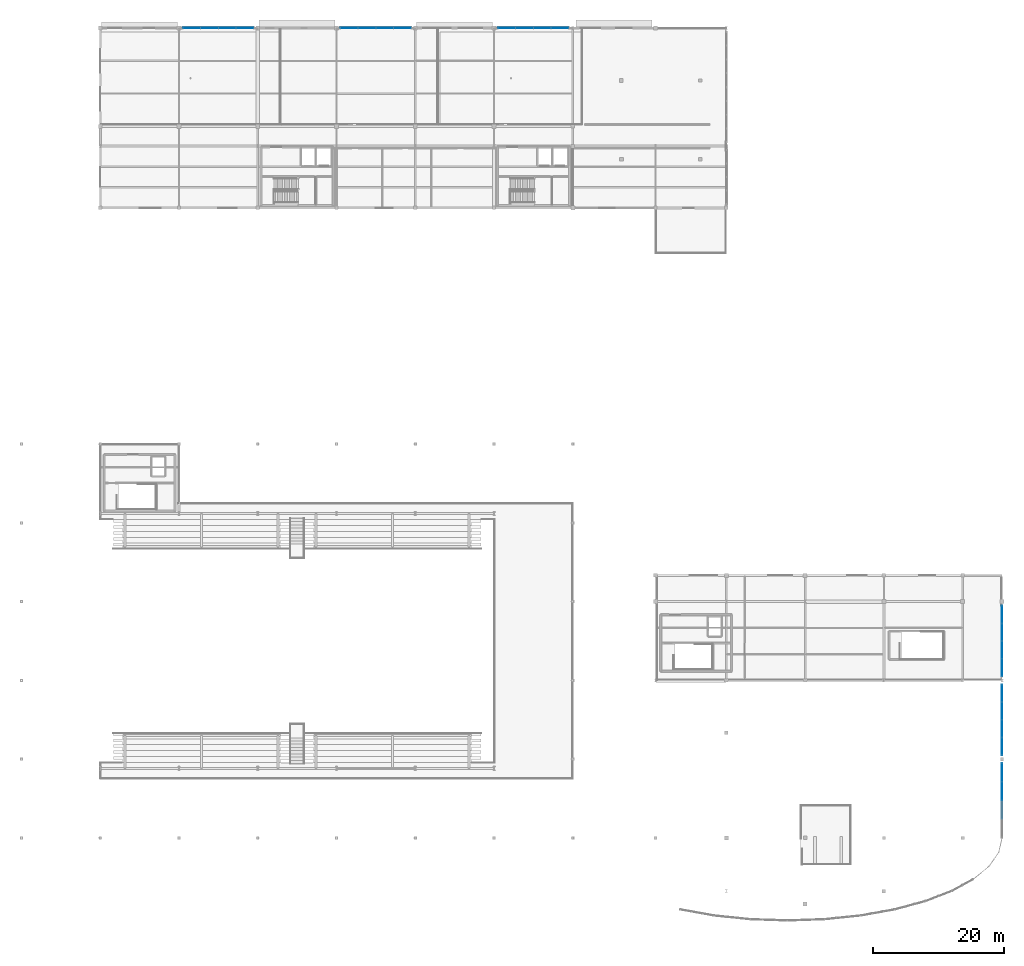
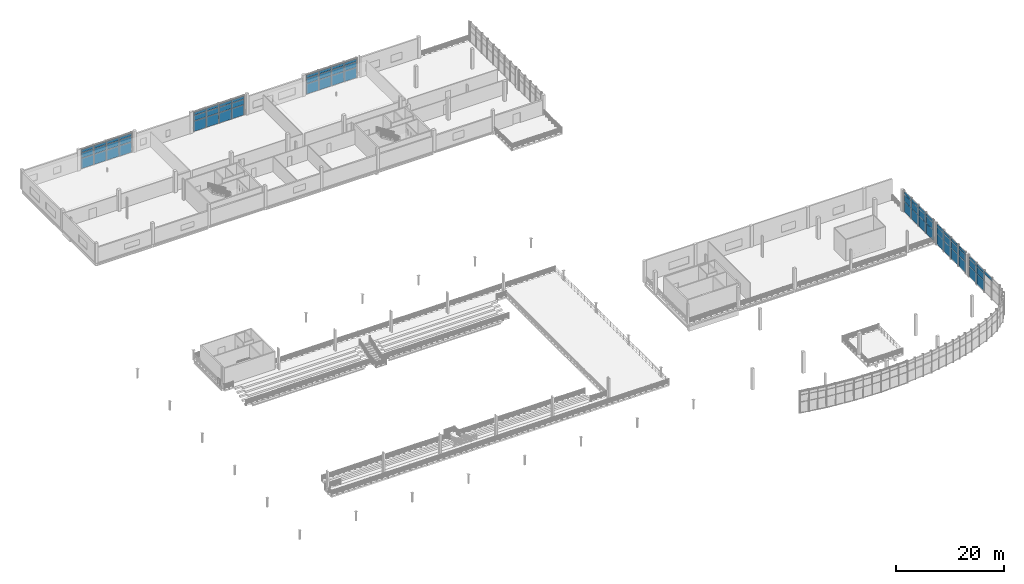
# One storey, part 33 of 52: 67 plates, 6 elements without a shape of their own.
"""IFC4 building model written with IfcOpenShell, lengths in metres."""

from ifc_helpers import new_model, si_unit, direction, frame, origin, origin_2d, place, context, subcontext, project, spatial, rectangle, extrude, material, layer, layer_set, type_object, element, aggregate, save


model = new_model("IFC4")

# Units and contexts
model_context = context("Model", 3, precision=1e-05, world=origin(), true_north=direction((0.0, 1.0)))
body_context = subcontext(model_context, "Body", "Model", "MODEL_VIEW")
ifc_project = project(units=[si_unit("LENGTHUNIT", "METRE"), si_unit("AREAUNIT", "SQUARE_METRE"), si_unit("VOLUMEUNIT", "CUBIC_METRE"), si_unit("PLANEANGLEUNIT", "RADIAN"), si_unit("MASSUNIT", "GRAM", prefix="KILO"), si_unit("THERMODYNAMICTEMPERATUREUNIT", "KELVIN"), si_unit("POWERUNIT", "WATT")], contexts=[model_context])

# Site, building, storey
site_placement = place(None, origin())
site = spatial("IfcSite", under=ifc_project, at=site_placement, CompositionType="ELEMENT")
building_placement = place(site_placement, origin())
building = spatial("IfcBuilding", under=site, at=building_placement, Name="Solmara Park Aquatics Centre", CompositionType="ELEMENT")
storey_placement = place(building_placement, frame((0.0, 0.0, 9.60009765625)))
storey = spatial("IfcBuildingStorey", under=building, at=storey_placement, Name="L02", CompositionType="ELEMENT", Elevation=9.60009765625)

# Curtain wall, plates
ifc_material_1 = material(Name="Anodised Aluminium Curtain Wall Framing", Category="aluminium")
curtain_wall_type_1 = type_object("IfcCurtainWallType", Name="ARC-CW-SYS04", PredefinedType="USERDEFINED", material=ifc_material_1)
curtain_wall_1_placement = place(storey_placement, origin())
curtain_wall_1 = element("IfcCurtainWall", 1, at=curtain_wall_1_placement, inside=storey, type_object=curtain_wall_type_1, Name="Curtain Wall CW-124", ObjectType="CURTAIN WALL", PredefinedType="USERDEFINED")
ifc_material_2 = material(Name="Double Low-E Solar-Control Glazing", Category="glass")
ifc_layer_1 = layer(ifc_material_2, 0.035888671875, Name="Double Low-E Solar-Control Glazing")
ifc_layer_set_1 = layer_set([ifc_layer_1], Name="Double Low-E Solar-Control Glazing")
plate_type_1 = type_object("IfcPlateType", Name="ARC-CWP-GLZ36-2620x1160", PredefinedType="CURTAIN_PANEL", material=ifc_layer_set_1)
plate_1_placement = place(storey_placement, frame((38.530029296875, 136.0, 2.489990234375), z_axis=(0.0, 0.0, 1.0), x_axis=(1.0, 0.0, 0.0)))
plate_1 = element("IfcPlate", 2, at=plate_1_placement, type_object=plate_type_1, Name="CW-124 panel 2", PredefinedType="CURTAIN_PANEL", context=body_context, shape_type="SweptSolid", body=[
    extrude(rectangle(XDim=2.6201171875, YDim=0.035888671875, at=origin_2d()), origin(), (0.0, 0.0, 1.0), 1.169921875),
])
plate_2_placement = place(storey_placement, frame((41.22998046875, 136.0, 2.489990234375), z_axis=(0.0, 0.0, 1.0), x_axis=(1.0, 0.0, 0.0)))
plate_2 = element("IfcPlate", 3, at=plate_2_placement, type_object=plate_type_1, Name="CW-124 panel 5", PredefinedType="CURTAIN_PANEL", context=body_context, shape_type="SweptSolid", body=[
    extrude(rectangle(XDim=2.6201171875, YDim=0.035888671875, at=origin_2d()), origin(), (0.0, 0.0, 1.0), 1.169921875),
])
plate_3_placement = place(storey_placement, frame((43.929931640625, 136.0, 2.489990234375), z_axis=(0.0, 0.0, 1.0), x_axis=(1.0, 0.0, 0.0)))
plate_3 = element("IfcPlate", 4, at=plate_3_placement, type_object=plate_type_1, Name="CW-124 panel 8", PredefinedType="CURTAIN_PANEL", context=body_context, shape_type="SweptSolid", body=[
    extrude(rectangle(XDim=2.6201171875, YDim=0.035888671875, at=origin_2d()), origin(), (0.0, 0.0, 1.0), 1.169921875),
])
plate_4_placement = place(storey_placement, frame((46.6298828125, 136.0, 2.489990234375), z_axis=(0.0, 0.0, 1.0), x_axis=(1.0, 0.0, 0.0)))
plate_4 = element("IfcPlate", 5, at=plate_4_placement, type_object=plate_type_1, Name="CW-124 panel 11", PredefinedType="CURTAIN_PANEL", context=body_context, shape_type="SweptSolid", body=[
    extrude(rectangle(XDim=2.6201171875, YDim=0.035888671875, at=origin_2d()), origin(), (0.0, 0.0, 1.0), 1.169921875),
])

curtain_wall_2_placement = place(storey_placement, origin())
curtain_wall_2 = element("IfcCurtainWall", 6, at=curtain_wall_2_placement, inside=storey, type_object=curtain_wall_type_1, Name="Curtain Wall CW-125", ObjectType="CURTAIN WALL", PredefinedType="USERDEFINED")
plate_5_placement = place(storey_placement, frame((62.530029296875, 136.0, 2.489990234375), z_axis=(0.0, 0.0, 1.0), x_axis=(1.0, 0.0, 0.0)))
plate_5 = element("IfcPlate", 7, at=plate_5_placement, type_object=plate_type_1, Name="CW-125 panel 2", PredefinedType="CURTAIN_PANEL", context=body_context, shape_type="SweptSolid", body=[
    extrude(rectangle(XDim=2.6201171875, YDim=0.035888671875, at=origin_2d()), origin(), (0.0, 0.0, 1.0), 1.169921875),
])
plate_6_placement = place(storey_placement, frame((65.22998046875, 136.0, 2.489990234375), z_axis=(0.0, 0.0, 1.0), x_axis=(1.0, 0.0, 0.0)))
plate_6 = element("IfcPlate", 8, at=plate_6_placement, type_object=plate_type_1, Name="CW-125 panel 5", PredefinedType="CURTAIN_PANEL", context=body_context, shape_type="SweptSolid", body=[
    extrude(rectangle(XDim=2.6201171875, YDim=0.035888671875, at=origin_2d()), origin(), (0.0, 0.0, 1.0), 1.169921875),
])
plate_7_placement = place(storey_placement, frame((67.929931640625, 136.0, 2.489990234375), z_axis=(0.0, 0.0, 1.0), x_axis=(1.0, 0.0, 0.0)))
plate_7 = element("IfcPlate", 9, at=plate_7_placement, type_object=plate_type_1, Name="CW-125 panel 8", PredefinedType="CURTAIN_PANEL", context=body_context, shape_type="SweptSolid", body=[
    extrude(rectangle(XDim=2.6201171875, YDim=0.035888671875, at=origin_2d()), origin(), (0.0, 0.0, 1.0), 1.169921875),
])
plate_8_placement = place(storey_placement, frame((70.6298828125, 136.0, 2.489990234375), z_axis=(0.0, 0.0, 1.0), x_axis=(1.0, 0.0, 0.0)))
plate_8 = element("IfcPlate", 10, at=plate_8_placement, type_object=plate_type_1, Name="CW-125 panel 11", PredefinedType="CURTAIN_PANEL", context=body_context, shape_type="SweptSolid", body=[
    extrude(rectangle(XDim=2.6201171875, YDim=0.035888671875, at=origin_2d()), origin(), (0.0, 0.0, 1.0), 1.169921875),
])

curtain_wall_3_placement = place(storey_placement, origin())
curtain_wall_3 = element("IfcCurtainWall", 11, at=curtain_wall_3_placement, inside=storey, type_object=curtain_wall_type_1, Name="Curtain Wall CW-126", ObjectType="CURTAIN WALL", PredefinedType="USERDEFINED")
plate_9_placement = place(storey_placement, frame((86.530029296875, 136.0, 2.489990234375), z_axis=(0.0, 0.0, 1.0), x_axis=(1.0, 0.0, 0.0)))
plate_9 = element("IfcPlate", 12, at=plate_9_placement, type_object=plate_type_1, Name="CW-126 panel 2", PredefinedType="CURTAIN_PANEL", context=body_context, shape_type="SweptSolid", body=[
    extrude(rectangle(XDim=2.6201171875, YDim=0.035888671875, at=origin_2d()), origin(), (0.0, 0.0, 1.0), 1.169921875),
])
plate_10_placement = place(storey_placement, frame((89.22998046875, 136.0, 2.489990234375), z_axis=(0.0, 0.0, 1.0), x_axis=(1.0, 0.0, 0.0)))
plate_10 = element("IfcPlate", 13, at=plate_10_placement, type_object=plate_type_1, Name="CW-126 panel 5", PredefinedType="CURTAIN_PANEL", context=body_context, shape_type="SweptSolid", body=[
    extrude(rectangle(XDim=2.6201171875, YDim=0.035888671875, at=origin_2d()), origin(), (0.0, 0.0, 1.0), 1.169921875),
])
plate_11_placement = place(storey_placement, frame((91.929931640625, 136.0, 2.489990234375), z_axis=(0.0, 0.0, 1.0), x_axis=(1.0, 0.0, 0.0)))
plate_11 = element("IfcPlate", 14, at=plate_11_placement, type_object=plate_type_1, Name="CW-126 panel 8", PredefinedType="CURTAIN_PANEL", context=body_context, shape_type="SweptSolid", body=[
    extrude(rectangle(XDim=2.6201171875, YDim=0.035888671875, at=origin_2d()), origin(), (0.0, 0.0, 1.0), 1.169921875),
])
plate_12_placement = place(storey_placement, frame((94.6298828125, 136.0, 2.489990234375), z_axis=(0.0, 0.0, 1.0), x_axis=(1.0, 0.0, 0.0)))
plate_12 = element("IfcPlate", 15, at=plate_12_placement, type_object=plate_type_1, Name="CW-126 panel 11", PredefinedType="CURTAIN_PANEL", context=body_context, shape_type="SweptSolid", body=[
    extrude(rectangle(XDim=2.6201171875, YDim=0.035888671875, at=origin_2d()), origin(), (0.0, 0.0, 1.0), 1.169921875),
])

curtain_wall_type_2 = type_object("IfcCurtainWallType", Name="ARC-CW-SYS03", PredefinedType="USERDEFINED", material=ifc_material_1)
curtain_wall_4_placement = place(storey_placement, origin())
curtain_wall_4 = element("IfcCurtainWall", 16, at=curtain_wall_4_placement, inside=storey, type_object=curtain_wall_type_2, Name="Curtain Wall CW-079", ObjectType="CURTAIN WALL", PredefinedType="USERDEFINED")
ifc_layer_2 = layer(ifc_material_2, 0.035888671875, Name="Double Low-E Solar-Control Glazing")
ifc_layer_set_2 = layer_set([ifc_layer_2], Name="Double Low-E Solar-Control Glazing")
plate_type_2 = type_object("IfcPlateType", Name="ARC-CWP-GLZ36-2620x1520", PredefinedType="CURTAIN_PANEL", material=ifc_layer_set_2)
plate_13_placement = place(storey_placement, frame((162.0, 26.530029296875, 2.489990234375), z_axis=(0.0, 0.0, 1.0), x_axis=(0.0, 1.0, 0.0)))
plate_13 = element("IfcPlate", 17, at=plate_13_placement, type_object=plate_type_2, Name="CW-079 panel 2", PredefinedType="CURTAIN_PANEL", context=body_context, shape_type="SweptSolid", body=[
    extrude(rectangle(XDim=2.6201171875, YDim=0.035888671875, at=origin_2d()), origin(), (0.0, 0.0, 1.0), 1.52001953125),
])
plate_14_placement = place(storey_placement, frame((162.0, 29.22998046875, 2.489990234375), z_axis=(0.0, 0.0, 1.0), x_axis=(0.0, 1.0, 0.0)))
plate_14 = element("IfcPlate", 18, at=plate_14_placement, type_object=plate_type_2, Name="CW-079 panel 5", PredefinedType="CURTAIN_PANEL", context=body_context, shape_type="SweptSolid", body=[
    extrude(rectangle(XDim=2.6201171875, YDim=0.035888671875, at=origin_2d()), origin(), (0.0, 0.0, 1.0), 1.52001953125),
])
plate_15_placement = place(storey_placement, frame((162.0, 31.929931640625, 2.489990234375), z_axis=(0.0, 0.0, 1.0), x_axis=(0.0, 1.0, 0.0)))
plate_15 = element("IfcPlate", 19, at=plate_15_placement, type_object=plate_type_2, Name="CW-079 panel 8", PredefinedType="CURTAIN_PANEL", context=body_context, shape_type="SweptSolid", body=[
    extrude(rectangle(XDim=2.6201171875, YDim=0.035888671875, at=origin_2d()), origin(), (0.0, 0.0, 1.0), 1.52001953125),
])
plate_16_placement = place(storey_placement, frame((162.0, 34.6298828125, 2.489990234375), z_axis=(0.0, 0.0, 1.0), x_axis=(0.0, 1.0, 0.0)))
plate_16 = element("IfcPlate", 20, at=plate_16_placement, type_object=plate_type_2, Name="CW-079 panel 11", PredefinedType="CURTAIN_PANEL", context=body_context, shape_type="SweptSolid", body=[
    extrude(rectangle(XDim=2.6201171875, YDim=0.035888671875, at=origin_2d()), origin(), (0.0, 0.0, 1.0), 1.52001953125),
])

curtain_wall_5_placement = place(storey_placement, origin())
curtain_wall_5 = element("IfcCurtainWall", 21, at=curtain_wall_5_placement, inside=storey, type_object=curtain_wall_type_2, Name="Curtain Wall CW-082", ObjectType="CURTAIN WALL", PredefinedType="USERDEFINED")
plate_17_placement = place(storey_placement, frame((162.0, 38.530029296875, 2.489990234375), z_axis=(0.0, 0.0, 1.0), x_axis=(0.0, 1.0, 0.0)))
plate_17 = element("IfcPlate", 22, at=plate_17_placement, type_object=plate_type_2, Name="CW-082 panel 2", PredefinedType="CURTAIN_PANEL", context=body_context, shape_type="SweptSolid", body=[
    extrude(rectangle(XDim=2.6201171875, YDim=0.035888671875, at=origin_2d()), origin(), (0.0, 0.0, 1.0), 1.52001953125),
])
plate_18_placement = place(storey_placement, frame((162.0, 41.22998046875, 2.489990234375), z_axis=(0.0, 0.0, 1.0), x_axis=(0.0, 1.0, 0.0)))
plate_18 = element("IfcPlate", 23, at=plate_18_placement, type_object=plate_type_2, Name="CW-082 panel 5", PredefinedType="CURTAIN_PANEL", context=body_context, shape_type="SweptSolid", body=[
    extrude(rectangle(XDim=2.6201171875, YDim=0.035888671875, at=origin_2d()), origin(), (0.0, 0.0, 1.0), 1.52001953125),
])
plate_19_placement = place(storey_placement, frame((162.0, 43.929931640625, 2.489990234375), z_axis=(0.0, 0.0, 1.0), x_axis=(0.0, 1.0, 0.0)))
plate_19 = element("IfcPlate", 24, at=plate_19_placement, type_object=plate_type_2, Name="CW-082 panel 8", PredefinedType="CURTAIN_PANEL", context=body_context, shape_type="SweptSolid", body=[
    extrude(rectangle(XDim=2.6201171875, YDim=0.035888671875, at=origin_2d()), origin(), (0.0, 0.0, 1.0), 1.52001953125),
])
plate_20_placement = place(storey_placement, frame((162.0, 46.6298828125, 2.489990234375), z_axis=(0.0, 0.0, 1.0), x_axis=(0.0, 1.0, 0.0)))
plate_20 = element("IfcPlate", 25, at=plate_20_placement, type_object=plate_type_2, Name="CW-082 panel 11", PredefinedType="CURTAIN_PANEL", context=body_context, shape_type="SweptSolid", body=[
    extrude(rectangle(XDim=2.6201171875, YDim=0.035888671875, at=origin_2d()), origin(), (0.0, 0.0, 1.0), 1.52001953125),
])

# Plate
ifc_layer_3 = layer(ifc_material_2, 0.035888671875, Name="Double Low-E Solar-Control Glazing")
ifc_layer_set_3 = layer_set([ifc_layer_3], Name="Double Low-E Solar-Control Glazing")
plate_type_3 = type_object("IfcPlateType", Name="ARC-CWP-GLZ36-2620x2320", PredefinedType="CURTAIN_PANEL", material=ifc_layer_set_3)
plate_21_placement = place(storey_placement, frame((162.0, 26.530029296875, 0.079833984375), z_axis=(0.0, 0.0, 1.0), x_axis=(0.0, 1.0, 0.0)))
plate_21 = element("IfcPlate", 26, at=plate_21_placement, type_object=plate_type_3, Name="CW-079 panel 1", PredefinedType="CURTAIN_PANEL", context=body_context, shape_type="SweptSolid", body=[
    extrude(rectangle(XDim=2.6201171875, YDim=0.035888671875, at=origin_2d()), origin(), (0.0, 0.0, 1.0), 2.330078125),
])

plate_22_placement = place(storey_placement, frame((162.0, 29.22998046875, 0.079833984375), z_axis=(0.0, 0.0, 1.0), x_axis=(0.0, 1.0, 0.0)))
plate_22 = element("IfcPlate", 27, at=plate_22_placement, type_object=plate_type_3, Name="CW-079 panel 4", PredefinedType="CURTAIN_PANEL", context=body_context, shape_type="SweptSolid", body=[
    extrude(rectangle(XDim=2.6201171875, YDim=0.035888671875, at=origin_2d()), origin(), (0.0, 0.0, 1.0), 2.330078125),
])

plate_23_placement = place(storey_placement, frame((162.0, 31.929931640625, 0.079833984375), z_axis=(0.0, 0.0, 1.0), x_axis=(0.0, 1.0, 0.0)))
plate_23 = element("IfcPlate", 28, at=plate_23_placement, type_object=plate_type_3, Name="CW-079 panel 7", PredefinedType="CURTAIN_PANEL", context=body_context, shape_type="SweptSolid", body=[
    extrude(rectangle(XDim=2.6201171875, YDim=0.035888671875, at=origin_2d()), origin(), (0.0, 0.0, 1.0), 2.330078125),
])

plate_24_placement = place(storey_placement, frame((162.0, 34.6298828125, 0.079833984375), z_axis=(0.0, 0.0, 1.0), x_axis=(0.0, 1.0, 0.0)))
plate_24 = element("IfcPlate", 29, at=plate_24_placement, type_object=plate_type_3, Name="CW-079 panel 10", PredefinedType="CURTAIN_PANEL", context=body_context, shape_type="SweptSolid", body=[
    extrude(rectangle(XDim=2.6201171875, YDim=0.035888671875, at=origin_2d()), origin(), (0.0, 0.0, 1.0), 2.330078125),
])

plate_25_placement = place(storey_placement, frame((162.0, 38.530029296875, 0.079833984375), z_axis=(0.0, 0.0, 1.0), x_axis=(0.0, 1.0, 0.0)))
plate_25 = element("IfcPlate", 30, at=plate_25_placement, type_object=plate_type_3, Name="CW-082 panel 1", PredefinedType="CURTAIN_PANEL", context=body_context, shape_type="SweptSolid", body=[
    extrude(rectangle(XDim=2.6201171875, YDim=0.035888671875, at=origin_2d()), origin(), (0.0, 0.0, 1.0), 2.330078125),
])

plate_26_placement = place(storey_placement, frame((162.0, 41.22998046875, 0.079833984375), z_axis=(0.0, 0.0, 1.0), x_axis=(0.0, 1.0, 0.0)))
plate_26 = element("IfcPlate", 31, at=plate_26_placement, type_object=plate_type_3, Name="CW-082 panel 4", PredefinedType="CURTAIN_PANEL", context=body_context, shape_type="SweptSolid", body=[
    extrude(rectangle(XDim=2.6201171875, YDim=0.035888671875, at=origin_2d()), origin(), (0.0, 0.0, 1.0), 2.330078125),
])

plate_27_placement = place(storey_placement, frame((162.0, 43.929931640625, 0.079833984375), z_axis=(0.0, 0.0, 1.0), x_axis=(0.0, 1.0, 0.0)))
plate_27 = element("IfcPlate", 32, at=plate_27_placement, type_object=plate_type_3, Name="CW-082 panel 7", PredefinedType="CURTAIN_PANEL", context=body_context, shape_type="SweptSolid", body=[
    extrude(rectangle(XDim=2.6201171875, YDim=0.035888671875, at=origin_2d()), origin(), (0.0, 0.0, 1.0), 2.330078125),
])

plate_28_placement = place(storey_placement, frame((162.0, 46.6298828125, 0.079833984375), z_axis=(0.0, 0.0, 1.0), x_axis=(0.0, 1.0, 0.0)))
plate_28 = element("IfcPlate", 33, at=plate_28_placement, type_object=plate_type_3, Name="CW-082 panel 10", PredefinedType="CURTAIN_PANEL", context=body_context, shape_type="SweptSolid", body=[
    extrude(rectangle(XDim=2.6201171875, YDim=0.035888671875, at=origin_2d()), origin(), (0.0, 0.0, 1.0), 2.330078125),
])

plate_29_placement = place(storey_placement, frame((38.530029296875, 136.0, 0.079833984375), z_axis=(0.0, 0.0, 1.0), x_axis=(1.0, 0.0, 0.0)))
plate_29 = element("IfcPlate", 34, at=plate_29_placement, type_object=plate_type_3, Name="CW-124 panel 1", PredefinedType="CURTAIN_PANEL", context=body_context, shape_type="SweptSolid", body=[
    extrude(rectangle(XDim=2.6201171875, YDim=0.035888671875, at=origin_2d()), origin(), (0.0, 0.0, 1.0), 2.330078125),
])

plate_30_placement = place(storey_placement, frame((41.22998046875, 136.0, 0.079833984375), z_axis=(0.0, 0.0, 1.0), x_axis=(1.0, 0.0, 0.0)))
plate_30 = element("IfcPlate", 35, at=plate_30_placement, type_object=plate_type_3, Name="CW-124 panel 4", PredefinedType="CURTAIN_PANEL", context=body_context, shape_type="SweptSolid", body=[
    extrude(rectangle(XDim=2.6201171875, YDim=0.035888671875, at=origin_2d()), origin(), (0.0, 0.0, 1.0), 2.330078125),
])

plate_31_placement = place(storey_placement, frame((43.929931640625, 136.0, 0.079833984375), z_axis=(0.0, 0.0, 1.0), x_axis=(1.0, 0.0, 0.0)))
plate_31 = element("IfcPlate", 36, at=plate_31_placement, type_object=plate_type_3, Name="CW-124 panel 7", PredefinedType="CURTAIN_PANEL", context=body_context, shape_type="SweptSolid", body=[
    extrude(rectangle(XDim=2.6201171875, YDim=0.035888671875, at=origin_2d()), origin(), (0.0, 0.0, 1.0), 2.330078125),
])

plate_32_placement = place(storey_placement, frame((46.6298828125, 136.0, 0.079833984375), z_axis=(0.0, 0.0, 1.0), x_axis=(1.0, 0.0, 0.0)))
plate_32 = element("IfcPlate", 37, at=plate_32_placement, type_object=plate_type_3, Name="CW-124 panel 10", PredefinedType="CURTAIN_PANEL", context=body_context, shape_type="SweptSolid", body=[
    extrude(rectangle(XDim=2.6201171875, YDim=0.035888671875, at=origin_2d()), origin(), (0.0, 0.0, 1.0), 2.330078125),
])

plate_33_placement = place(storey_placement, frame((62.530029296875, 136.0, 0.079833984375), z_axis=(0.0, 0.0, 1.0), x_axis=(1.0, 0.0, 0.0)))
plate_33 = element("IfcPlate", 38, at=plate_33_placement, type_object=plate_type_3, Name="CW-125 panel 1", PredefinedType="CURTAIN_PANEL", context=body_context, shape_type="SweptSolid", body=[
    extrude(rectangle(XDim=2.6201171875, YDim=0.035888671875, at=origin_2d()), origin(), (0.0, 0.0, 1.0), 2.330078125),
])

plate_34_placement = place(storey_placement, frame((65.22998046875, 136.0, 0.079833984375), z_axis=(0.0, 0.0, 1.0), x_axis=(1.0, 0.0, 0.0)))
plate_34 = element("IfcPlate", 39, at=plate_34_placement, type_object=plate_type_3, Name="CW-125 panel 4", PredefinedType="CURTAIN_PANEL", context=body_context, shape_type="SweptSolid", body=[
    extrude(rectangle(XDim=2.6201171875, YDim=0.035888671875, at=origin_2d()), origin(), (0.0, 0.0, 1.0), 2.330078125),
])

plate_35_placement = place(storey_placement, frame((67.929931640625, 136.0, 0.079833984375), z_axis=(0.0, 0.0, 1.0), x_axis=(1.0, 0.0, 0.0)))
plate_35 = element("IfcPlate", 40, at=plate_35_placement, type_object=plate_type_3, Name="CW-125 panel 7", PredefinedType="CURTAIN_PANEL", context=body_context, shape_type="SweptSolid", body=[
    extrude(rectangle(XDim=2.6201171875, YDim=0.035888671875, at=origin_2d()), origin(), (0.0, 0.0, 1.0), 2.330078125),
])

plate_36_placement = place(storey_placement, frame((70.6298828125, 136.0, 0.079833984375), z_axis=(0.0, 0.0, 1.0), x_axis=(1.0, 0.0, 0.0)))
plate_36 = element("IfcPlate", 41, at=plate_36_placement, type_object=plate_type_3, Name="CW-125 panel 10", PredefinedType="CURTAIN_PANEL", context=body_context, shape_type="SweptSolid", body=[
    extrude(rectangle(XDim=2.6201171875, YDim=0.035888671875, at=origin_2d()), origin(), (0.0, 0.0, 1.0), 2.330078125),
])

plate_37_placement = place(storey_placement, frame((86.530029296875, 136.0, 0.079833984375), z_axis=(0.0, 0.0, 1.0), x_axis=(1.0, 0.0, 0.0)))
plate_37 = element("IfcPlate", 42, at=plate_37_placement, type_object=plate_type_3, Name="CW-126 panel 1", PredefinedType="CURTAIN_PANEL", context=body_context, shape_type="SweptSolid", body=[
    extrude(rectangle(XDim=2.6201171875, YDim=0.035888671875, at=origin_2d()), origin(), (0.0, 0.0, 1.0), 2.330078125),
])

plate_38_placement = place(storey_placement, frame((89.22998046875, 136.0, 0.079833984375), z_axis=(0.0, 0.0, 1.0), x_axis=(1.0, 0.0, 0.0)))
plate_38 = element("IfcPlate", 43, at=plate_38_placement, type_object=plate_type_3, Name="CW-126 panel 4", PredefinedType="CURTAIN_PANEL", context=body_context, shape_type="SweptSolid", body=[
    extrude(rectangle(XDim=2.6201171875, YDim=0.035888671875, at=origin_2d()), origin(), (0.0, 0.0, 1.0), 2.330078125),
])

plate_39_placement = place(storey_placement, frame((91.929931640625, 136.0, 0.079833984375), z_axis=(0.0, 0.0, 1.0), x_axis=(1.0, 0.0, 0.0)))
plate_39 = element("IfcPlate", 44, at=plate_39_placement, type_object=plate_type_3, Name="CW-126 panel 7", PredefinedType="CURTAIN_PANEL", context=body_context, shape_type="SweptSolid", body=[
    extrude(rectangle(XDim=2.6201171875, YDim=0.035888671875, at=origin_2d()), origin(), (0.0, 0.0, 1.0), 2.330078125),
])

plate_40_placement = place(storey_placement, frame((94.6298828125, 136.0, 0.079833984375), z_axis=(0.0, 0.0, 1.0), x_axis=(1.0, 0.0, 0.0)))
plate_40 = element("IfcPlate", 45, at=plate_40_placement, type_object=plate_type_3, Name="CW-126 panel 10", PredefinedType="CURTAIN_PANEL", context=body_context, shape_type="SweptSolid", body=[
    extrude(rectangle(XDim=2.6201171875, YDim=0.035888671875, at=origin_2d()), origin(), (0.0, 0.0, 1.0), 2.330078125),
])

# Curtain wall, plates
curtain_wall_6_placement = place(storey_placement, origin())
curtain_wall_6 = element("IfcCurtainWall", 46, at=curtain_wall_6_placement, inside=storey, type_object=curtain_wall_type_2, Name="Curtain Wall CW-076", ObjectType="CURTAIN WALL", PredefinedType="USERDEFINED")
ifc_layer_4 = layer(ifc_material_2, 0.035888671875, Name="Double Low-E Solar-Control Glazing")
ifc_layer_set_4 = layer_set([ifc_layer_4], Name="Double Low-E Solar-Control Glazing")
plate_type_4 = type_object("IfcPlateType", Name="ARC-CWP-GLZ36-2760x1520", PredefinedType="CURTAIN_PANEL", material=ifc_layer_set_4)
plate_41_placement = place(storey_placement, frame((162.0, 19.719970703125, 2.489990234375), z_axis=(0.0, 0.0, 1.0), x_axis=(0.0, 1.0, 0.0)))
plate_41 = element("IfcPlate", 47, at=plate_41_placement, type_object=plate_type_4, Name="CW-076 panel 8", PredefinedType="CURTAIN_PANEL", context=body_context, shape_type="SweptSolid", body=[
    extrude(rectangle(XDim=2.760009765625, YDim=0.035888671875, at=origin_2d()), origin(), (0.0, 0.0, 1.0), 1.52001953125),
])
plate_42_placement = place(storey_placement, frame((162.0, 22.56005859375, 2.489990234375), z_axis=(0.0, 0.0, 1.0), x_axis=(0.0, 1.0, 0.0)))
plate_42 = element("IfcPlate", 48, at=plate_42_placement, type_object=plate_type_4, Name="CW-076 panel 11", PredefinedType="CURTAIN_PANEL", context=body_context, shape_type="SweptSolid", body=[
    extrude(rectangle(XDim=2.760009765625, YDim=0.035888671875, at=origin_2d()), origin(), (0.0, 0.0, 1.0), 1.52001953125),
])
ifc_layer_5 = layer(ifc_material_2, 0.035888671875, Name="Double Low-E Solar-Control Glazing")
ifc_layer_set_5 = layer_set([ifc_layer_5], Name="Double Low-E Solar-Control Glazing")
plate_type_5 = type_object("IfcPlateType", Name="ARC-CWP-GLZ36-2760x2320", PredefinedType="CURTAIN_PANEL", material=ifc_layer_set_5)
plate_43_placement = place(storey_placement, frame((162.0, 19.719970703125, 0.079833984375), z_axis=(0.0, 0.0, 1.0), x_axis=(0.0, 1.0, 0.0)))
plate_43 = element("IfcPlate", 49, at=plate_43_placement, type_object=plate_type_5, Name="CW-076 panel 7", PredefinedType="CURTAIN_PANEL", context=body_context, shape_type="SweptSolid", body=[
    extrude(rectangle(XDim=2.760009765625, YDim=0.035888671875, at=origin_2d()), origin(), (0.0, 0.0, 1.0), 2.330078125),
])
plate_44_placement = place(storey_placement, frame((162.0, 22.56005859375, 0.079833984375), z_axis=(0.0, 0.0, 1.0), x_axis=(0.0, 1.0, 0.0)))
plate_44 = element("IfcPlate", 50, at=plate_44_placement, type_object=plate_type_5, Name="CW-076 panel 10", PredefinedType="CURTAIN_PANEL", context=body_context, shape_type="SweptSolid", body=[
    extrude(rectangle(XDim=2.760009765625, YDim=0.035888671875, at=origin_2d()), origin(), (0.0, 0.0, 1.0), 2.330078125),
])

# Plate
ifc_material_3 = material(Name="Golden-Ochre Enamelled Aluminium Fascia Panel", Category="aluminium")
ifc_layer_6 = layer(ifc_material_3, 0.0400390625, Name="Golden-Ochre Enamelled Aluminium Fascia Panel")
ifc_layer_set_6 = layer_set([ifc_layer_6], Name="Golden-Ochre Enamelled Aluminium Fascia Panel")
plate_type_6 = type_object("IfcPlateType", Name="ARC-CWP-OCH40-2620x640", PredefinedType="CURTAIN_PANEL", material=ifc_layer_set_6)
plate_45_placement = place(storey_placement, frame((38.530029296875, 136.0, 3.739990234375), z_axis=(0.0, 0.0, 1.0), x_axis=(1.0, 0.0, 0.0)))
plate_45 = element("IfcPlate", 51, at=plate_45_placement, type_object=plate_type_6, Name="CW-124 panel 3", PredefinedType="CURTAIN_PANEL", context=body_context, shape_type="SweptSolid", body=[
    extrude(rectangle(XDim=2.6201171875, YDim=0.0400390625, at=origin_2d()), origin(), (0.0, 0.0, 1.0), 0.6298828125),
])

plate_46_placement = place(storey_placement, frame((41.22998046875, 136.0, 3.739990234375), z_axis=(0.0, 0.0, 1.0), x_axis=(1.0, 0.0, 0.0)))
plate_46 = element("IfcPlate", 52, at=plate_46_placement, type_object=plate_type_6, Name="CW-124 panel 6", PredefinedType="CURTAIN_PANEL", context=body_context, shape_type="SweptSolid", body=[
    extrude(rectangle(XDim=2.6201171875, YDim=0.0400390625, at=origin_2d()), origin(), (0.0, 0.0, 1.0), 0.6298828125),
])

plate_47_placement = place(storey_placement, frame((43.929931640625, 136.0, 3.739990234375), z_axis=(0.0, 0.0, 1.0), x_axis=(1.0, 0.0, 0.0)))
plate_47 = element("IfcPlate", 53, at=plate_47_placement, type_object=plate_type_6, Name="CW-124 panel 9", PredefinedType="CURTAIN_PANEL", context=body_context, shape_type="SweptSolid", body=[
    extrude(rectangle(XDim=2.6201171875, YDim=0.0400390625, at=origin_2d()), origin(), (0.0, 0.0, 1.0), 0.6298828125),
])

plate_48_placement = place(storey_placement, frame((46.6298828125, 136.0, 3.739990234375), z_axis=(0.0, 0.0, 1.0), x_axis=(1.0, 0.0, 0.0)))
plate_48 = element("IfcPlate", 54, at=plate_48_placement, type_object=plate_type_6, Name="CW-124 panel 12", PredefinedType="CURTAIN_PANEL", context=body_context, shape_type="SweptSolid", body=[
    extrude(rectangle(XDim=2.6201171875, YDim=0.0400390625, at=origin_2d()), origin(), (0.0, 0.0, 1.0), 0.6298828125),
])

aggregate(curtain_wall_1, [plate_29, plate_1, plate_45, plate_30, plate_2, plate_46, plate_31, plate_3, plate_47, plate_32, plate_4, plate_48])

ifc_layer_7 = layer(ifc_material_3, 0.0400390625, Name="Golden-Ochre Enamelled Aluminium Fascia Panel")
ifc_layer_set_7 = layer_set([ifc_layer_7], Name="Golden-Ochre Enamelled Aluminium Fascia Panel")
plate_type_7 = type_object("IfcPlateType", Name="ARC-CWP-OCH40-2760x640", PredefinedType="CURTAIN_PANEL", material=ifc_layer_set_7)
plate_49_placement = place(storey_placement, frame((162.0, 16.8798828125, 4.08984375), z_axis=(0.0, 0.0, 1.0), x_axis=(0.0, 1.0, 0.0)))
plate_49 = element("IfcPlate", 55, at=plate_49_placement, type_object=plate_type_7, Name="CW-076 panel 6", PredefinedType="CURTAIN_PANEL", context=body_context, shape_type="SweptSolid", body=[
    extrude(rectangle(XDim=2.760009765625, YDim=0.0400390625, at=origin_2d()), origin(), (0.0, 0.0, 1.0), 0.6298828125),
])

plate_50_placement = place(storey_placement, frame((162.0, 19.719970703125, 4.08984375), z_axis=(0.0, 0.0, 1.0), x_axis=(0.0, 1.0, 0.0)))
plate_50 = element("IfcPlate", 56, at=plate_50_placement, type_object=plate_type_7, Name="CW-076 panel 9", PredefinedType="CURTAIN_PANEL", context=body_context, shape_type="SweptSolid", body=[
    extrude(rectangle(XDim=2.760009765625, YDim=0.0400390625, at=origin_2d()), origin(), (0.0, 0.0, 1.0), 0.6298828125),
])

plate_51_placement = place(storey_placement, frame((162.0, 22.56005859375, 4.08984375), z_axis=(0.0, 0.0, 1.0), x_axis=(0.0, 1.0, 0.0)))
plate_51 = element("IfcPlate", 57, at=plate_51_placement, type_object=plate_type_7, Name="CW-076 panel 12", PredefinedType="CURTAIN_PANEL", context=body_context, shape_type="SweptSolid", body=[
    extrude(rectangle(XDim=2.760009765625, YDim=0.0400390625, at=origin_2d()), origin(), (0.0, 0.0, 1.0), 0.6298828125),
])

aggregate(curtain_wall_6, [plate_49, plate_43, plate_41, plate_50, plate_44, plate_42, plate_51])

ifc_material_4 = material(Name="Insulated Anodised Aluminium Spandrel Panel", Category="aluminium")
ifc_layer_8 = layer(ifc_material_4, 0.0439453125, Name="Insulated Anodised Aluminium Spandrel Panel")
ifc_layer_set_8 = layer_set([ifc_layer_8], Name="Insulated Anodised Aluminium Spandrel Panel")
plate_type_8 = type_object("IfcPlateType", Name="ARC-CWP-SPN44-2620x640", PredefinedType="CURTAIN_PANEL", material=ifc_layer_set_8)
plate_52_placement = place(storey_placement, frame((162.0, 26.530029296875, 4.08984375), z_axis=(0.0, 0.0, 1.0), x_axis=(0.0, 1.0, 0.0)))
plate_52 = element("IfcPlate", 58, at=plate_52_placement, type_object=plate_type_8, Name="CW-079 panel 3", PredefinedType="CURTAIN_PANEL", context=body_context, shape_type="SweptSolid", body=[
    extrude(rectangle(XDim=2.6201171875, YDim=0.0439453125, at=origin_2d()), origin(), (0.0, 0.0, 1.0), 0.6298828125),
])

plate_53_placement = place(storey_placement, frame((162.0, 29.22998046875, 4.08984375), z_axis=(0.0, 0.0, 1.0), x_axis=(0.0, 1.0, 0.0)))
plate_53 = element("IfcPlate", 59, at=plate_53_placement, type_object=plate_type_8, Name="CW-079 panel 6", PredefinedType="CURTAIN_PANEL", context=body_context, shape_type="SweptSolid", body=[
    extrude(rectangle(XDim=2.6201171875, YDim=0.0439453125, at=origin_2d()), origin(), (0.0, 0.0, 1.0), 0.6298828125),
])

plate_54_placement = place(storey_placement, frame((162.0, 31.929931640625, 4.08984375), z_axis=(0.0, 0.0, 1.0), x_axis=(0.0, 1.0, 0.0)))
plate_54 = element("IfcPlate", 60, at=plate_54_placement, type_object=plate_type_8, Name="CW-079 panel 9", PredefinedType="CURTAIN_PANEL", context=body_context, shape_type="SweptSolid", body=[
    extrude(rectangle(XDim=2.6201171875, YDim=0.0439453125, at=origin_2d()), origin(), (0.0, 0.0, 1.0), 0.6298828125),
])

plate_55_placement = place(storey_placement, frame((162.0, 34.6298828125, 4.08984375), z_axis=(0.0, 0.0, 1.0), x_axis=(0.0, 1.0, 0.0)))
plate_55 = element("IfcPlate", 61, at=plate_55_placement, type_object=plate_type_8, Name="CW-079 panel 12", PredefinedType="CURTAIN_PANEL", context=body_context, shape_type="SweptSolid", body=[
    extrude(rectangle(XDim=2.6201171875, YDim=0.0439453125, at=origin_2d()), origin(), (0.0, 0.0, 1.0), 0.6298828125),
])

aggregate(curtain_wall_4, [plate_21, plate_13, plate_52, plate_22, plate_14, plate_53, plate_23, plate_15, plate_54, plate_24, plate_16, plate_55])

plate_56_placement = place(storey_placement, frame((162.0, 38.530029296875, 4.08984375), z_axis=(0.0, 0.0, 1.0), x_axis=(0.0, 1.0, 0.0)))
plate_56 = element("IfcPlate", 62, at=plate_56_placement, type_object=plate_type_8, Name="CW-082 panel 3", PredefinedType="CURTAIN_PANEL", context=body_context, shape_type="SweptSolid", body=[
    extrude(rectangle(XDim=2.6201171875, YDim=0.0439453125, at=origin_2d()), origin(), (0.0, 0.0, 1.0), 0.6298828125),
])

plate_57_placement = place(storey_placement, frame((162.0, 41.22998046875, 4.08984375), z_axis=(0.0, 0.0, 1.0), x_axis=(0.0, 1.0, 0.0)))
plate_57 = element("IfcPlate", 63, at=plate_57_placement, type_object=plate_type_8, Name="CW-082 panel 6", PredefinedType="CURTAIN_PANEL", context=body_context, shape_type="SweptSolid", body=[
    extrude(rectangle(XDim=2.6201171875, YDim=0.0439453125, at=origin_2d()), origin(), (0.0, 0.0, 1.0), 0.6298828125),
])

plate_58_placement = place(storey_placement, frame((162.0, 43.929931640625, 4.08984375), z_axis=(0.0, 0.0, 1.0), x_axis=(0.0, 1.0, 0.0)))
plate_58 = element("IfcPlate", 64, at=plate_58_placement, type_object=plate_type_8, Name="CW-082 panel 9", PredefinedType="CURTAIN_PANEL", context=body_context, shape_type="SweptSolid", body=[
    extrude(rectangle(XDim=2.6201171875, YDim=0.0439453125, at=origin_2d()), origin(), (0.0, 0.0, 1.0), 0.6298828125),
])

plate_59_placement = place(storey_placement, frame((162.0, 46.6298828125, 4.08984375), z_axis=(0.0, 0.0, 1.0), x_axis=(0.0, 1.0, 0.0)))
plate_59 = element("IfcPlate", 65, at=plate_59_placement, type_object=plate_type_8, Name="CW-082 panel 12", PredefinedType="CURTAIN_PANEL", context=body_context, shape_type="SweptSolid", body=[
    extrude(rectangle(XDim=2.6201171875, YDim=0.0439453125, at=origin_2d()), origin(), (0.0, 0.0, 1.0), 0.6298828125),
])

aggregate(curtain_wall_5, [plate_25, plate_17, plate_56, plate_26, plate_18, plate_57, plate_27, plate_19, plate_58, plate_28, plate_20, plate_59])

plate_60_placement = place(storey_placement, frame((62.530029296875, 136.0, 3.739990234375), z_axis=(0.0, 0.0, 1.0), x_axis=(1.0, 0.0, 0.0)))
plate_60 = element("IfcPlate", 66, at=plate_60_placement, type_object=plate_type_8, Name="CW-125 panel 3", PredefinedType="CURTAIN_PANEL", context=body_context, shape_type="SweptSolid", body=[
    extrude(rectangle(XDim=2.6201171875, YDim=0.0439453125, at=origin_2d()), origin(), (0.0, 0.0, 1.0), 0.6298828125),
])

plate_61_placement = place(storey_placement, frame((65.22998046875, 136.0, 3.739990234375), z_axis=(0.0, 0.0, 1.0), x_axis=(1.0, 0.0, 0.0)))
plate_61 = element("IfcPlate", 67, at=plate_61_placement, type_object=plate_type_8, Name="CW-125 panel 6", PredefinedType="CURTAIN_PANEL", context=body_context, shape_type="SweptSolid", body=[
    extrude(rectangle(XDim=2.6201171875, YDim=0.0439453125, at=origin_2d()), origin(), (0.0, 0.0, 1.0), 0.6298828125),
])

plate_62_placement = place(storey_placement, frame((67.929931640625, 136.0, 3.739990234375), z_axis=(0.0, 0.0, 1.0), x_axis=(1.0, 0.0, 0.0)))
plate_62 = element("IfcPlate", 68, at=plate_62_placement, type_object=plate_type_8, Name="CW-125 panel 9", PredefinedType="CURTAIN_PANEL", context=body_context, shape_type="SweptSolid", body=[
    extrude(rectangle(XDim=2.6201171875, YDim=0.0439453125, at=origin_2d()), origin(), (0.0, 0.0, 1.0), 0.6298828125),
])

plate_63_placement = place(storey_placement, frame((70.6298828125, 136.0, 3.739990234375), z_axis=(0.0, 0.0, 1.0), x_axis=(1.0, 0.0, 0.0)))
plate_63 = element("IfcPlate", 69, at=plate_63_placement, type_object=plate_type_8, Name="CW-125 panel 12", PredefinedType="CURTAIN_PANEL", context=body_context, shape_type="SweptSolid", body=[
    extrude(rectangle(XDim=2.6201171875, YDim=0.0439453125, at=origin_2d()), origin(), (0.0, 0.0, 1.0), 0.6298828125),
])

aggregate(curtain_wall_2, [plate_33, plate_5, plate_60, plate_34, plate_6, plate_61, plate_35, plate_7, plate_62, plate_36, plate_8, plate_63])

plate_64_placement = place(storey_placement, frame((86.530029296875, 136.0, 3.739990234375), z_axis=(0.0, 0.0, 1.0), x_axis=(1.0, 0.0, 0.0)))
plate_64 = element("IfcPlate", 70, at=plate_64_placement, type_object=plate_type_8, Name="CW-126 panel 3", PredefinedType="CURTAIN_PANEL", context=body_context, shape_type="SweptSolid", body=[
    extrude(rectangle(XDim=2.6201171875, YDim=0.0439453125, at=origin_2d()), origin(), (0.0, 0.0, 1.0), 0.6298828125),
])

plate_65_placement = place(storey_placement, frame((89.22998046875, 136.0, 3.739990234375), z_axis=(0.0, 0.0, 1.0), x_axis=(1.0, 0.0, 0.0)))
plate_65 = element("IfcPlate", 71, at=plate_65_placement, type_object=plate_type_8, Name="CW-126 panel 6", PredefinedType="CURTAIN_PANEL", context=body_context, shape_type="SweptSolid", body=[
    extrude(rectangle(XDim=2.6201171875, YDim=0.0439453125, at=origin_2d()), origin(), (0.0, 0.0, 1.0), 0.6298828125),
])

plate_66_placement = place(storey_placement, frame((91.929931640625, 136.0, 3.739990234375), z_axis=(0.0, 0.0, 1.0), x_axis=(1.0, 0.0, 0.0)))
plate_66 = element("IfcPlate", 72, at=plate_66_placement, type_object=plate_type_8, Name="CW-126 panel 9", PredefinedType="CURTAIN_PANEL", context=body_context, shape_type="SweptSolid", body=[
    extrude(rectangle(XDim=2.6201171875, YDim=0.0439453125, at=origin_2d()), origin(), (0.0, 0.0, 1.0), 0.6298828125),
])

plate_67_placement = place(storey_placement, frame((94.6298828125, 136.0, 3.739990234375), z_axis=(0.0, 0.0, 1.0), x_axis=(1.0, 0.0, 0.0)))
plate_67 = element("IfcPlate", 73, at=plate_67_placement, type_object=plate_type_8, Name="CW-126 panel 12", PredefinedType="CURTAIN_PANEL", context=body_context, shape_type="SweptSolid", body=[
    extrude(rectangle(XDim=2.6201171875, YDim=0.0439453125, at=origin_2d()), origin(), (0.0, 0.0, 1.0), 0.6298828125),
])

aggregate(curtain_wall_3, [plate_37, plate_9, plate_64, plate_38, plate_10, plate_65, plate_39, plate_11, plate_66, plate_40, plate_12, plate_67])

save(model, "model.ifc")
